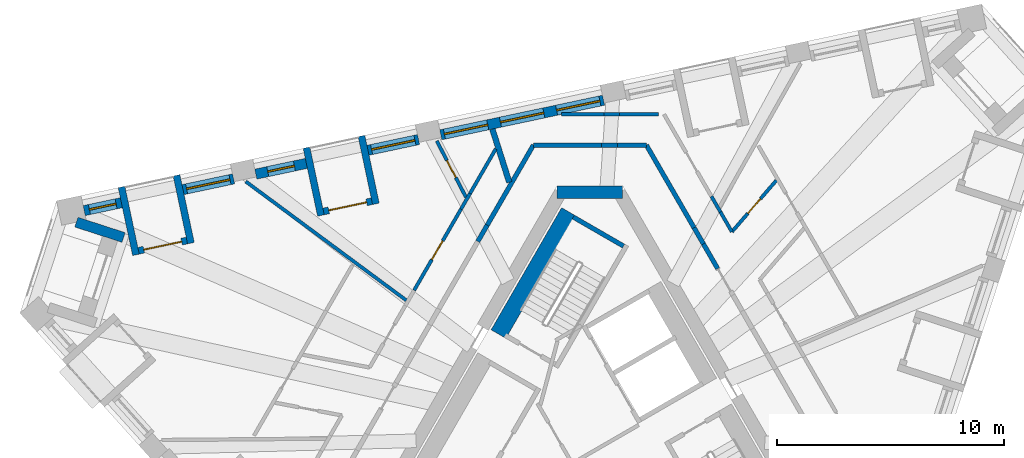
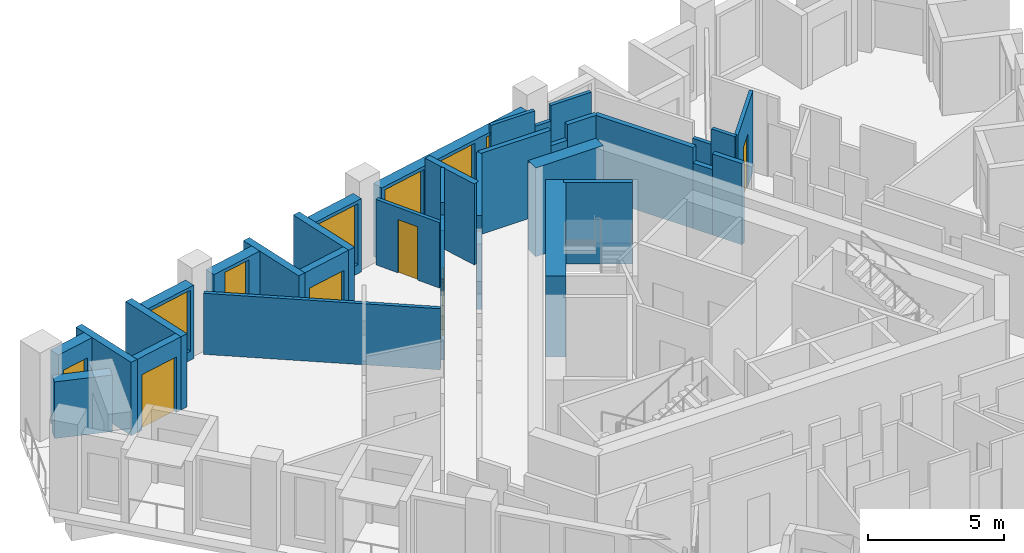
# One storey, part 7 of 13: 35 walls, 7 windows, 5 doors, 12 openings.
"""IFC4 building model written with IfcOpenShell, lengths in metres."""

import ifcopenshell
import ifcopenshell.guid

model = None  # the IFC model being written
_history = None  # IfcOwnerHistory: only IFC2X3 demands one
_inside = {}  # id of a spatial element -> (the spatial element, [elements in it])
_under = {}  # id of a project, library or spatial element -> (it, [spatial elements below it])
_declared = {}  # id of a project -> (the project, [libraries it declares])
_typed = {}  # id of a type object -> (the type object, [elements of that type])
_made_of = {}  # id of a material, layer set ... -> (it, [elements and type objects made of it])


def new_model(schema):
    """Start an empty IFC model of exactly this schema.

    Asked for "IFC4X3", IfcOpenShell would pick the latest addendum, in which some entities
    have other attributes; the version numbers below select the first issue.
    IFC2X3 requires an IfcOwnerHistory on every rooted entity: one is made here for all.
    """
    global model, _history
    if schema == "IFC4X3":
        model = ifcopenshell.file(schema_version=(4, 3, 0, 0))
    else:
        model = ifcopenshell.file(schema=schema)
    _inside.clear()
    _under.clear()
    _declared.clear()
    _typed.clear()
    _made_of.clear()
    _history = None
    if model.schema == "IFC2X3":
        org = make("IfcOrganization", Name="unknown")
        user = make(
            "IfcPersonAndOrganization",
            ThePerson=make("IfcPerson", FamilyName="unknown"),
            TheOrganization=org,
        )
        app = make(
            "IfcApplication",
            ApplicationDeveloper=org,
            Version="unknown",
            ApplicationFullName="unknown",
            ApplicationIdentifier="unknown",
        )
        _history = make(
            "IfcOwnerHistory",
            OwningUser=user,
            OwningApplication=app,
            ChangeAction="ADDED",
            CreationDate=0,
        )
    return model


def make(cls, **values):
    """One entity of the class cls with the attributes given. An attribute that is None is left unset."""
    return model.create_entity(
        cls, **{name: value for name, value in values.items() if value is not None}
    )


def rooted(cls, **values):
    """An entity with a GlobalId (a new one), such as an element, a storey or a relation."""
    return make(cls, GlobalId=ifcopenshell.guid.new(), OwnerHistory=_history, **values)


def si_unit(unit_type, name, prefix=None):
    """IfcSIUnit, for example si_unit("LENGTHUNIT", "METRE", prefix="MILLI")."""
    return make("IfcSIUnit", UnitType=unit_type, Prefix=prefix, Name=name)


def assignment(units):
    """IfcUnitAssignment: the units of a project."""
    return None if units is None else make("IfcUnitAssignment", Units=units)


def point(xyz):
    """IfcCartesianPoint."""
    return None if xyz is None else make("IfcCartesianPoint", Coordinates=xyz)


def direction(xyz):
    """IfcDirection."""
    return None if xyz is None else make("IfcDirection", DirectionRatios=xyz)


def frame(location, z_axis=None, x_axis=None):
    """IfcAxis2Placement3D, a coordinate frame: its origin and axes. An axis left out is left unset."""
    return make(
        "IfcAxis2Placement3D",
        Location=point(location),
        Axis=direction(z_axis),
        RefDirection=direction(x_axis),
    )


def frame_2d(location, x_axis=None):
    """IfcAxis2Placement2D, a coordinate frame in the plane: its origin and x axis."""
    return make(
        "IfcAxis2Placement2D", Location=point(location), RefDirection=direction(x_axis)
    )


def origin():
    """The frame at (0, 0, 0) with its axes left unset."""
    return frame((0.0, 0.0, 0.0))


def place(relative_to, where):
    """IfcLocalPlacement: puts the frame where relative to a parent placement (None: the world)."""
    return make(
        "IfcLocalPlacement", PlacementRelTo=relative_to, RelativePlacement=where
    )


def context(
    kind, dimensions, precision=None, world=None, true_north=None, identifier=None
):
    """IfcGeometricRepresentationContext, for example the 3D "Model" context."""
    return make(
        "IfcGeometricRepresentationContext",
        ContextIdentifier=identifier,
        ContextType=kind,
        CoordinateSpaceDimension=dimensions,
        Precision=precision,
        WorldCoordinateSystem=world,
        TrueNorth=true_north,
    )


def subcontext(parent, identifier, kind, view, scale=None):
    """IfcGeometricRepresentationSubContext, for example "Body" below "Model"."""
    return make(
        "IfcGeometricRepresentationSubContext",
        ContextIdentifier=identifier,
        ContextType=kind,
        ParentContext=parent,
        TargetScale=scale,
        TargetView=view,
    )


def project(units=None, contexts=None):
    """IfcProject with its units and contexts."""
    return rooted(
        "IfcProject",
        Name="project",
        RepresentationContexts=contexts,
        UnitsInContext=assignment(units),
    )


def spatial(cls, under=None, at=None, **own):
    """A site, building, storey or space (cls), placed at a placement, below another one or the project."""
    s = rooted(cls, ObjectPlacement=at, **own)
    if under is not None:
        _under.setdefault(under.id(), (under, []))[1].append(s)
    return s


def profile(cls, at=None, kind="AREA", **sizes):
    """A parametric profile (cls). Its sizes go by their IFC names, for example OverallWidth=200.0."""
    return make(cls, ProfileType=kind, Position=at, **sizes)


def rectangle(**sizes):
    """IfcRectangleProfileDef."""
    return profile("IfcRectangleProfileDef", **sizes)


def extrude(swept, where, along, depth):
    """IfcExtrudedAreaSolid: the profile swept, set in the frame where, extruded along a direction by depth."""
    return make(
        "IfcExtrudedAreaSolid",
        SweptArea=swept,
        Position=where,
        ExtrudedDirection=direction(along),
        Depth=depth,
    )


def shape(context_of_items, identifier, shape_type, items):
    """IfcShapeRepresentation: the items that make up one representation, for example the "Body"."""
    return make(
        "IfcShapeRepresentation",
        ContextOfItems=context_of_items,
        RepresentationIdentifier=identifier,
        RepresentationType=shape_type,
        Items=items,
    )


def material(Name=None, Category=None):
    """IfcMaterial."""
    return make("IfcMaterial", Name=Name, Category=Category)


def layer(
    of_material, thickness, ventilated=None, Name=None, Category=None, Priority=None
):
    """IfcMaterialLayer: one layer of a wall or slab, of a material (None: an air gap)."""
    return make(
        "IfcMaterialLayer",
        Material=of_material,
        LayerThickness=thickness,
        IsVentilated=ventilated,
        Name=Name,
        Category=Category,
        Priority=Priority,
    )


def layer_set(layers, Name=None):
    """IfcMaterialLayerSet."""
    return make("IfcMaterialLayerSet", MaterialLayers=layers, LayerSetName=Name)


def made_of(thing, what):
    """Note that an element or type object is made of a material, layer set ...; save() writes the relation."""
    if what is not None:
        _made_of.setdefault(what.id(), (what, []))[1].append(thing)
    return thing


def type_object(cls, material=None, **own):
    """A type object (cls), such as IfcWallType, which elements share."""
    return made_of(rooted(cls, **own), material)


def element(
    cls,
    number,
    at=None,
    inside=None,
    cuts=None,
    type_object=None,
    material=None,
    context=None,
    identifier="Body",
    shape_type=None,
    held_by="IfcProductDefinitionShape",
    body=None,
    shapes=None,
    **own,
):
    """One element of the class cls, such as IfcWall. Its Tag is "e" and its number.

    at: its placement. inside: the storey or other place that contains it. cuts: it is an
    opening in that element (IfcRelVoidsElement). A single representation is given by context,
    identifier, shape_type and body (its items); several are given by shapes. held_by: the class
    of the entity that holds the representations. save() writes the other relations.
    """
    e = rooted(cls, Tag="e%d" % number, ObjectPlacement=at, **own)
    if body is not None:
        shapes = [shape(context, identifier, shape_type, body)]
    if shapes is not None:
        e.Representation = make(held_by, Representations=shapes)
    if inside is not None:
        _inside.setdefault(inside.id(), (inside, []))[1].append(e)
    if cuts is not None:
        rooted(
            "IfcRelVoidsElement", RelatingBuildingElement=cuts, RelatedOpeningElement=e
        )
    if type_object is not None:
        _typed.setdefault(type_object.id(), (type_object, []))[1].append(e)
    return made_of(e, material)


def fill(opening, filler):
    """IfcRelFillsElement: the door or window that sits in an opening."""
    return rooted(
        "IfcRelFillsElement",
        RelatingOpeningElement=opening,
        RelatedBuildingElement=filler,
    )


def aggregate(whole, parts):
    """IfcRelAggregates: a whole, such as a stair, and the parts it consists of."""
    return rooted("IfcRelAggregates", RelatingObject=whole, RelatedObjects=parts)


def save(model, path):
    """Write the relations noted so far, then the file.

    IfcRelAggregates (storeys below a building ...), IfcRelContainedInSpatialStructure (elements
    in a storey), IfcRelDefinesByType, IfcRelAssociatesMaterial and IfcRelDeclares: one each for
    every whole, place, type object, material and project.
    """
    for whole, parts in _under.values():
        aggregate(whole, parts)
    for where, things in _inside.values():
        rooted(
            "IfcRelContainedInSpatialStructure",
            RelatedElements=things,
            RelatingStructure=where,
        )
    for kind, things in _typed.values():
        rooted("IfcRelDefinesByType", RelatedObjects=things, RelatingType=kind)
    for what, things in _made_of.values():
        rooted("IfcRelAssociatesMaterial", RelatedObjects=things, RelatingMaterial=what)
    for by, libraries in _declared.values():
        rooted("IfcRelDeclares", RelatingContext=by, RelatedDefinitions=libraries)
    model.write(path)


model = new_model("IFC4")

# Units and contexts
model_context = context("Model", 3, precision=1e-05, world=origin(), true_north=direction((0.0, 1.0)))
body_context = subcontext(model_context, "Body", "Model", "MODEL_VIEW")
ifc_project = project(units=[si_unit("LENGTHUNIT", "METRE"), si_unit("AREAUNIT", "SQUARE_METRE"), si_unit("VOLUMEUNIT", "CUBIC_METRE"), si_unit("PLANEANGLEUNIT", "RADIAN"), si_unit("MASSUNIT", "GRAM", prefix="KILO")], contexts=[model_context])

# Site, building, storey
site_placement = place(None, origin())
site = spatial("IfcSite", under=ifc_project, at=site_placement, CompositionType="ELEMENT")
building_placement = place(site_placement, origin())
building = spatial("IfcBuilding", under=site, at=building_placement, Name="Tramontana Tower", CompositionType="ELEMENT")
storey_placement = place(building_placement, frame((0.0, 0.0, 328.39990234375)))
storey = spatial("IfcBuildingStorey", under=building, at=storey_placement, Name="L75", CompositionType="ELEMENT", Elevation=328.39990234375)

# Walls
ifc_material_1 = material(Name="Concrete 70 MPa", Category="concrete")
ifc_layer_1 = layer(ifc_material_1, 0.550048828125)
ifc_layer_set_1 = layer_set([ifc_layer_1], Name="Core wall 550 70 MPa")
wall_type_1 = type_object("IfcWallType", Name="Core wall 550 70 MPa", PredefinedType="SHEAR", material=ifc_layer_set_1)
wall_1_placement = place(storey_placement, frame((1.443359375, 10.72509765625, 0.0), z_axis=(0.0, 0.0, 1.0), x_axis=(-1.0, 0.0, 0.0)))
element("IfcWall", 1, at=wall_1_placement, inside=storey, type_object=wall_type_1, Name="Core wall C0 L75", PredefinedType="SHEAR", context=body_context, shape_type="SweptSolid", body=[
    extrude(rectangle(XDim=2.88671875, YDim=0.550048828125, at=frame_2d((1.443359375, 0.0))), origin(), (0.0, 0.0, 1.0), 4.0),
])
ifc_material_2 = material(Name="Blockwork", Category="masonry")
ifc_layer_2 = layer(ifc_material_2, 0.199951171875)
ifc_layer_set_2 = layer_set([ifc_layer_2], Name="ENTRY WALL 200")
wall_type_2 = type_object("IfcWallType", Name="ENTRY WALL 200", PredefinedType="SOLIDWALL", material=ifc_layer_set_2)
wall_2_placement = place(storey_placement, frame((-4.9287109375, 8.563232421875, 0.0), z_axis=(0.0, 0.0, 1.0), x_axis=(0.500046299512, 0.865998671098, 0.0)))
element("IfcWall", 2, at=wall_2_placement, inside=storey, type_object=wall_type_2, Name="Wall v80-ew3-9", PredefinedType="SOLIDWALL", context=body_context, shape_type="SweptSolid", body=[
    extrude(rectangle(XDim=0.82666015625, YDim=0.199951171875, at=frame_2d((0.413330078125, 0.0))), origin(), (0.0, 0.0, 1.0), 2.9501953125),
])
wall_3_placement = place(storey_placement, frame((-4.515380859375, 9.279052734375, 0.0), z_axis=(0.0, 0.0, 1.0), x_axis=(0.499975428181, 0.866039589866, 0.0)))
element("IfcWall", 3, at=wall_3_placement, inside=storey, type_object=wall_type_2, Name="Wall v80-ew3-10", PredefinedType="SOLIDWALL", context=body_context, shape_type="SweptSolid", body=[
    extrude(rectangle(XDim=4.065673828125, YDim=0.199951171875, at=frame_2d((2.03271484375, 0.0))), origin(), (0.0, 0.0, 1.0), 3.650146484375),
])
wall_4_placement = place(storey_placement, frame((-2.482666015625, 12.800048828125, 0.0), z_axis=(0.0, 0.0, 1.0), x_axis=(1.0, 0.0, 0.0)))
element("IfcWall", 4, at=wall_4_placement, inside=storey, type_object=wall_type_2, Name="Wall v80-ew4-0", PredefinedType="SOLIDWALL", context=body_context, shape_type="SweptSolid", body=[
    extrude(rectangle(XDim=3.0029296875, YDim=0.199951171875, at=frame_2d((1.50146484375, 0.0))), origin(), (0.0, 0.0, 1.0), 3.650146484375),
])
wall_5_placement = place(storey_placement, frame((0.520263671875, 12.800048828125, 0.0), z_axis=(0.0, 0.0, 1.0), x_axis=(1.0, 0.0, 0.0)))
element("IfcWall", 5, at=wall_5_placement, inside=storey, type_object=wall_type_2, Name="Wall v80-ew4-1", PredefinedType="SOLIDWALL", context=body_context, shape_type="SweptSolid", body=[
    extrude(rectangle(XDim=0.701416015625, YDim=0.199951171875, at=frame_2d((0.3505859375, 0.0))), origin(), (0.0, 0.0, 1.0), 2.9501953125),
])
wall_6_placement = place(storey_placement, frame((1.2216796875, 12.800048828125, 0.0), z_axis=(0.0, 0.0, 1.0), x_axis=(1.0, 0.0, 0.0)))
element("IfcWall", 6, at=wall_6_placement, inside=storey, type_object=wall_type_2, Name="Wall v80-ew4-2", PredefinedType="SOLIDWALL", context=body_context, shape_type="SweptSolid", body=[
    extrude(rectangle(XDim=1.260986328125, YDim=0.199951171875, at=frame_2d((0.63037109375, 0.0))), origin(), (0.0, 0.0, 1.0), 3.650146484375),
])
wall_7_placement = place(storey_placement, frame((2.482666015625, 12.800048828125, 0.0), z_axis=(0.0, 0.0, 1.0), x_axis=(0.499982771656, -0.866035350345, 0.0)))
element("IfcWall", 7, at=wall_7_placement, inside=storey, type_object=wall_type_2, Name="Wall v80-ew5-0", PredefinedType="SOLIDWALL", context=body_context, shape_type="SweptSolid", body=[
    extrude(rectangle(XDim=4.194580078125, YDim=0.199951171875, at=frame_2d((2.09716796875, 0.0))), origin(), (0.0, 0.0, 1.0), 3.650146484375),
])
wall_8_placement = place(storey_placement, frame((4.579833984375, 9.16748046875, 0.0), z_axis=(0.0, 0.0, 1.0), x_axis=(0.499945576647, -0.866056822842, 0.0)))
element("IfcWall", 8, at=wall_8_placement, inside=storey, type_object=wall_type_2, Name="Wall v80-ew5-1", PredefinedType="SOLIDWALL", context=body_context, shape_type="SweptSolid", body=[
    extrude(rectangle(XDim=0.82080078125, YDim=0.199951171875, at=frame_2d((0.410400390625, 0.0))), origin(), (0.0, 0.0, 1.0), 2.9501953125),
])
wall_9_placement = place(storey_placement, frame((4.990234375, 8.45654296875, 0.0), z_axis=(0.0, 0.0, 1.0), x_axis=(0.500031220278, -0.866007377998, 0.0)))
element("IfcWall", 9, at=wall_9_placement, inside=storey, type_object=wall_type_2, Name="Wall v80-ew5-2", PredefinedType="SOLIDWALL", context=body_context, shape_type="SweptSolid", body=[
    extrude(rectangle(XDim=1.2548828125, YDim=0.199951171875, at=frame_2d((0.62744140625, 0.0))), origin(), (0.0, 0.0, 1.0), 3.650146484375),
])

# Wall, openings, windows
ifc_material_3 = material(Name="Precast concrete 60 MPa", Category="concrete")
ifc_layer_3 = layer(ifc_material_3, 0.449951171875)
ifc_layer_set_3 = layer_set([ifc_layer_3], Name="Precast concrete 60 MPa, 450 mm")
wall_type_3 = type_object("IfcWallType", Name="EW1 Stone-faced precast wall 450", PredefinedType="SOLIDWALL", material=ifc_layer_set_3)
wall_10_placement = place(storey_placement, frame((0.5986328125, 14.772216796875, 0.0), z_axis=(0.0, 0.0, 1.0), x_axis=(-0.978151299843, -0.207894287118, 0.0)))
wall_10 = element("IfcWall", 10, at=wall_10_placement, inside=storey, type_object=wall_type_3, Name="External wall L75 face 2 bay 3", PredefinedType="SOLIDWALL", context=body_context, shape_type="SweptSolid", body=[
    extrude(rectangle(XDim=7.31396484375, YDim=0.449951171875, at=frame_2d((3.656982421875, 0.0))), origin(), (0.0, 0.0, 1.0), 3.300048828125),
])
opening_1_placement = place(wall_10_placement, frame((0.16064453125, 0.0, 0.39990234375)))
opening_1 = element("IfcOpeningElement", 11, at=opening_1_placement, cuts=wall_10, Name="Opening M3", PredefinedType="OPENING", context=body_context, shape_type="SweptSolid", body=[
    extrude(rectangle(XDim=1.949951171875, YDim=2.75, at=frame_2d((0.97509765625, 1.375))), frame((0.0, 0.23486328125, 0.0), z_axis=(0.0, -1.0, 0.0), x_axis=(1.0, 0.0, 0.0)), (0.0, 0.0, 1.0), 0.469970703125),
])
opening_2_placement = place(wall_10_placement, frame((2.681884765625, 0.0, 0.39990234375)))
opening_2 = element("IfcOpeningElement", 12, at=opening_2_placement, cuts=wall_10, Name="Opening M3", PredefinedType="OPENING", context=body_context, shape_type="SweptSolid", body=[
    extrude(rectangle(XDim=1.949951171875, YDim=2.75, at=frame_2d((0.97509765625, 1.375))), frame((0.0, 0.23486328125, 0.0), z_axis=(0.0, -1.0, 0.0), x_axis=(1.0, 0.0, 0.0)), (0.0, 0.0, 1.0), 0.469970703125),
])
opening_3_placement = place(wall_10_placement, frame((5.203125, 0.0, 0.39990234375)))
opening_3 = element("IfcOpeningElement", 13, at=opening_3_placement, cuts=wall_10, Name="Opening M3", PredefinedType="OPENING", context=body_context, shape_type="SweptSolid", body=[
    extrude(rectangle(XDim=1.949951171875, YDim=2.75, at=frame_2d((0.97509765625, 1.375))), frame((0.0, 0.23486328125, 0.0), z_axis=(0.0, -1.0, 0.0), x_axis=(1.0, 0.0, 0.0)), (0.0, 0.0, 1.0), 0.469970703125),
])
ifc_material_4 = material(Name="Aluminum frame, double glazing unit", Category="aluminium")
window_type_1 = type_object("IfcWindowType", Name="M3 Window 1.95 x 2.75", PartitioningType="SINGLE_PANEL", PredefinedType="WINDOW", material=ifc_material_4)
window_1_placement = place(opening_1_placement, origin())
window_1 = element("IfcWindow", 14, at=window_1_placement, inside=storey, type_object=window_type_1, Name="Window M3 L75 face 2 module 7", OverallHeight=2.75, OverallWidth=1.949951171875, PartitioningType="SINGLE_PANEL", PredefinedType="WINDOW", context=body_context, shape_type="SweptSolid", body=[
    extrude(rectangle(XDim=1.949951171875, YDim=2.75, at=frame_2d((0.97509765625, 1.375))), frame((0.0, 0.030029296875, 0.0), z_axis=(0.0, -1.0, 0.0), x_axis=(1.0, 0.0, 0.0)), (0.0, 0.0, 1.0), 0.06005859375),
])
fill(opening_1, window_1)
window_2_placement = place(opening_2_placement, origin())
window_2 = element("IfcWindow", 15, at=window_2_placement, inside=storey, type_object=window_type_1, Name="Window M3 L75 face 2 module 8", OverallHeight=2.75, OverallWidth=1.949951171875, PartitioningType="SINGLE_PANEL", PredefinedType="WINDOW", context=body_context, shape_type="SweptSolid", body=[
    extrude(rectangle(XDim=1.949951171875, YDim=2.75, at=frame_2d((0.97509765625, 1.375))), frame((0.0, 0.030029296875, 0.0), z_axis=(0.0, -1.0, 0.0), x_axis=(1.0, 0.0, 0.0)), (0.0, 0.0, 1.0), 0.06005859375),
])
fill(opening_2, window_2)
window_3_placement = place(opening_3_placement, origin())
window_3 = element("IfcWindow", 16, at=window_3_placement, inside=storey, type_object=window_type_1, Name="Window M3 L75 face 2 module 9", OverallHeight=2.75, OverallWidth=1.949951171875, PartitioningType="SINGLE_PANEL", PredefinedType="WINDOW", context=body_context, shape_type="SweptSolid", body=[
    extrude(rectangle(XDim=1.949951171875, YDim=2.75, at=frame_2d((0.97509765625, 1.375))), frame((0.0, 0.030029296875, 0.0), z_axis=(0.0, -1.0, 0.0), x_axis=(1.0, 0.0, 0.0)), (0.0, 0.0, 1.0), 0.06005859375),
])
fill(opening_3, window_3)

# Wall, opening, window
wall_11_placement = place(storey_placement, frame((-7.533447265625, 13.043701171875, 0.0), z_axis=(0.0, 0.0, 1.0), x_axis=(-0.978153386925, -0.207884467067, 0.0)))
wall_11 = element("IfcWall", 17, at=wall_11_placement, inside=storey, type_object=wall_type_3, Name="External wall L75 face 2 bay 4", PredefinedType="SOLIDWALL", context=body_context, shape_type="SweptSolid", body=[
    extrude(rectangle(XDim=2.271240234375, YDim=0.449951171875, at=frame_2d((1.1357421875, 0.0))), origin(), (0.0, 0.0, 1.0), 3.300048828125),
])
opening_4_placement = place(wall_11_placement, frame((0.16064453125, 0.0, 0.39990234375)))
opening_4 = element("IfcOpeningElement", 18, at=opening_4_placement, cuts=wall_11, Name="Opening M3", PredefinedType="OPENING", context=body_context, shape_type="SweptSolid", body=[
    extrude(rectangle(XDim=1.949951171875, YDim=2.75, at=frame_2d((0.97509765625, 1.375))), frame((0.0, 0.23486328125, 0.0), z_axis=(0.0, -1.0, 0.0), x_axis=(1.0, 0.0, 0.0)), (0.0, 0.0, 1.0), 0.469970703125),
])
window_4_placement = place(opening_4_placement, origin())
window_4 = element("IfcWindow", 19, at=window_4_placement, inside=storey, type_object=window_type_1, Name="Window M3 L75 face 2 module 10", OverallHeight=2.75, OverallWidth=1.949951171875, PartitioningType="SINGLE_PANEL", PredefinedType="WINDOW", context=body_context, shape_type="SweptSolid", body=[
    extrude(rectangle(XDim=1.949951171875, YDim=2.75, at=frame_2d((0.97509765625, 1.375))), frame((0.0, 0.030029296875, 0.0), z_axis=(0.0, -1.0, 0.0), x_axis=(1.0, 0.0, 0.0)), (0.0, 0.0, 1.0), 0.06005859375),
])
fill(opening_4, window_4)

wall_12_placement = place(storey_placement, frame((-12.4658203125, 11.995361328125, 0.0), z_axis=(0.0, 0.0, 1.0), x_axis=(-0.978153386925, -0.207884467067, 0.0)))
wall_12 = element("IfcWall", 20, at=wall_12_placement, inside=storey, type_object=wall_type_3, Name="External wall L75 face 2 bay 4", PredefinedType="SOLIDWALL", context=body_context, shape_type="SweptSolid", body=[
    extrude(rectangle(XDim=2.271240234375, YDim=0.449951171875, at=frame_2d((1.1357421875, 0.0))), origin(), (0.0, 0.0, 1.0), 3.300048828125),
])
opening_5_placement = place(wall_12_placement, frame((0.53564453125, 0.0, 0.39990234375)))
opening_5 = element("IfcOpeningElement", 21, at=opening_5_placement, cuts=wall_12, Name="Opening N3", PredefinedType="OPENING", context=body_context, shape_type="SweptSolid", body=[
    extrude(rectangle(XDim=1.199951171875, YDim=2.75, at=frame_2d((0.60009765625, 1.375))), frame((0.0, 0.23486328125, 0.0), z_axis=(0.0, -1.0, 0.0), x_axis=(1.0, 0.0, 0.0)), (0.0, 0.0, 1.0), 0.469970703125),
])
ifc_material_5 = material(Name="Aluminum frame, double glazing unit", Category="aluminium")
window_type_2 = type_object("IfcWindowType", Name="N3 Window 1.2 x 2.75", PartitioningType="SINGLE_PANEL", PredefinedType="WINDOW", material=ifc_material_5)
window_5_placement = place(opening_5_placement, origin())
window_5 = element("IfcWindow", 22, at=window_5_placement, inside=storey, type_object=window_type_2, Name="Window N3 L75 face 2 module 12", OverallHeight=2.75, OverallWidth=1.199951171875, PartitioningType="SINGLE_PANEL", PredefinedType="WINDOW", context=body_context, shape_type="SweptSolid", body=[
    extrude(rectangle(XDim=1.199951171875, YDim=2.75, at=frame_2d((0.60009765625, 1.375))), frame((0.0, 0.030029296875, 0.0), z_axis=(0.0, -1.0, 0.0), x_axis=(1.0, 0.0, 0.0)), (0.0, 0.0, 1.0), 0.06005859375),
])
fill(opening_5, window_5)

wall_13_placement = place(storey_placement, frame((-15.665771484375, 11.315185546875, 0.0), z_axis=(0.0, 0.0, 1.0), x_axis=(-0.978148740936, -0.207906326516, 0.0)))
wall_13 = element("IfcWall", 23, at=wall_13_placement, inside=storey, type_object=wall_type_3, Name="External wall L75 face 2 bay 5", PredefinedType="SOLIDWALL", context=body_context, shape_type="SweptSolid", body=[
    extrude(rectangle(XDim=2.27099609375, YDim=0.449951171875, at=frame_2d((1.135498046875, 0.0))), origin(), (0.0, 0.0, 1.0), 3.300048828125),
])
opening_6_placement = place(wall_13_placement, frame((0.16064453125, 0.0, 0.39990234375)))
opening_6 = element("IfcOpeningElement", 24, at=opening_6_placement, cuts=wall_13, Name="Opening M3", PredefinedType="OPENING", context=body_context, shape_type="SweptSolid", body=[
    extrude(rectangle(XDim=1.949951171875, YDim=2.75, at=frame_2d((0.97509765625, 1.375))), frame((0.0, 0.23486328125, 0.0), z_axis=(0.0, -1.0, 0.0), x_axis=(1.0, 0.0, 0.0)), (0.0, 0.0, 1.0), 0.469970703125),
])
window_6_placement = place(opening_6_placement, origin())
window_6 = element("IfcWindow", 25, at=window_6_placement, inside=storey, type_object=window_type_1, Name="Window M3 L75 face 2 module 13", OverallHeight=2.75, OverallWidth=1.949951171875, PartitioningType="SINGLE_PANEL", PredefinedType="WINDOW", context=body_context, shape_type="SweptSolid", body=[
    extrude(rectangle(XDim=1.949951171875, YDim=2.75, at=frame_2d((0.97509765625, 1.375))), frame((0.0, 0.030029296875, 0.0), z_axis=(0.0, -1.0, 0.0), x_axis=(1.0, 0.0, 0.0)), (0.0, 0.0, 1.0), 0.06005859375),
])
fill(opening_6, window_6)

wall_14_placement = place(storey_placement, frame((-20.59814453125, 10.266845703125, 0.0), z_axis=(0.0, 0.0, 1.0), x_axis=(-0.978126168783, -0.208012494676, 0.0)))
wall_14 = element("IfcWall", 26, at=wall_14_placement, inside=storey, type_object=wall_type_3, Name="External wall L75 face 2 bay 5", PredefinedType="SOLIDWALL", context=body_context, shape_type="SweptSolid", body=[
    extrude(rectangle(XDim=1.67138671875, YDim=0.449951171875, at=frame_2d((0.835693359375, 0.0))), origin(), (0.0, 0.0, 1.0), 3.300048828125),
])
opening_7_placement = place(wall_14_placement, frame((0.235595703125, 0.0, 0.39990234375)))
opening_7 = element("IfcOpeningElement", 27, at=opening_7_placement, cuts=wall_14, Name="Opening N3L", PredefinedType="OPENING", context=body_context, shape_type="SweptSolid", body=[
    extrude(rectangle(XDim=1.199951171875, YDim=2.10009765625, at=frame_2d((0.60009765625, 1.050048828125))), frame((0.0, 0.23486328125, 0.0), z_axis=(0.0, -1.0, 0.0), x_axis=(1.0, 0.0, 0.0)), (0.0, 0.0, 1.0), 0.469970703125),
])
ifc_material_6 = material(Name="Aluminum frame, double glazing unit", Category="aluminium")
window_type_3 = type_object("IfcWindowType", Name="N3L Window 1.2 x 2.1", PartitioningType="SINGLE_PANEL", PredefinedType="WINDOW", material=ifc_material_6)
window_7_placement = place(opening_7_placement, origin())
window_7 = element("IfcWindow", 28, at=window_7_placement, inside=storey, type_object=window_type_3, Name="Window N3L L75 face 2 module 15", OverallHeight=2.10009765625, OverallWidth=1.199951171875, PartitioningType="SINGLE_PANEL", PredefinedType="WINDOW", context=body_context, shape_type="SweptSolid", body=[
    extrude(rectangle(XDim=1.199951171875, YDim=2.10009765625, at=frame_2d((0.60009765625, 1.050048828125))), frame((0.0, 0.030029296875, 0.0), z_axis=(0.0, -1.0, 0.0), x_axis=(1.0, 0.0, 0.0)), (0.0, 0.0, 1.0), 0.06005859375),
])
fill(opening_7, window_7)

# Wall
wall_15_placement = place(storey_placement, frame((-22.57568359375, 9.411865234375, 0.0), z_axis=(0.0, 0.0, 1.0), x_axis=(0.951064526973, -0.308992338955, 0.0)))
element("IfcWall", 29, at=wall_15_placement, inside=storey, type_object=wall_type_3, Name="Corner loggia side wall L75 K80r", PredefinedType="SOLIDWALL", context=body_context, shape_type="SweptSolid", body=[
    extrude(rectangle(XDim=2.17919921875, YDim=0.449951171875, at=frame_2d((1.089599609375, 0.0))), origin(), (0.0, 0.0, 1.0), 2.550048828125),
])

# Wall, opening, door
ifc_material_7 = material(Name="Precast concrete 60 MPa", Category="concrete")
ifc_layer_4 = layer(ifc_material_7, 0.300048828125)
ifc_layer_set_4 = layer_set([ifc_layer_4], Name="LW1 Stone-faced loggia wall 300")
wall_type_4 = type_object("IfcWallType", Name="LW1 Stone-faced loggia wall 300", PredefinedType="SOLIDWALL", material=ifc_layer_set_4)
wall_16_placement = place(storey_placement, frame((-9.5859375, 10.332763671875, 0.0), z_axis=(0.0, 0.0, 1.0), x_axis=(-0.978148276005, -0.207908513891, 0.0)))
wall_16 = element("IfcWall", 30, at=wall_16_placement, inside=storey, type_object=wall_type_4, Name="Loggia wall L75 G8S2.10", PredefinedType="SOLIDWALL", context=body_context, shape_type="SweptSolid", body=[
    extrude(rectangle(XDim=2.171142578125, YDim=0.300048828125, at=frame_2d((1.08544921875, 0.0))), origin(), (0.0, 0.0, 1.0), 3.300048828125),
])
opening_8_placement = place(wall_16_placement, frame((0.235595703125, 0.0, 0.0)))
opening_8 = element("IfcOpeningElement", 31, at=opening_8_placement, cuts=wall_16, Name="Opening BD-8S2-10", PredefinedType="OPENING", context=body_context, shape_type="SweptSolid", body=[
    extrude(rectangle(XDim=1.699951171875, YDim=2.5, at=frame_2d((0.85009765625, 1.25))), frame((0.0, 0.159912109375, 0.0), z_axis=(0.0, -1.0, 0.0), x_axis=(1.0, 0.0, 0.0)), (0.0, 0.0, 1.0), 0.320068359375),
])
ifc_material_8 = material(Name="Aluminum frame, double glazing unit", Category="aluminium")
door_type_1 = type_object("IfcDoorType", Name="BD3 Sliding door 1.7 x 2.5", OperationType="SLIDING_TO_LEFT", PredefinedType="DOOR", material=ifc_material_8)
door_1_placement = place(opening_8_placement, origin())
door_1 = element("IfcDoor", 32, at=door_1_placement, inside=storey, type_object=door_type_1, Name="Loggia door L75 G8S2.10", OperationType="SLIDING_TO_LEFT", OverallHeight=2.5, OverallWidth=1.699951171875, PredefinedType="DOOR", context=body_context, shape_type="SweptSolid", body=[
    extrude(rectangle(XDim=1.699951171875, YDim=2.5, at=frame_2d((0.85009765625, 1.25))), frame((0.0, 0.02490234375, 0.0), z_axis=(0.0, -1.0, 0.0), x_axis=(1.0, 0.0, 0.0)), (0.0, 0.0, 1.0), 0.050048828125),
])
fill(opening_8, door_1)

# Walls
for number, where, z_axis, x_axis, name in (
    (33, (-10.042236328125, 13.20068359375, 0.0), (0.0, 0.0, 1.0), (0.207954487003, -0.978138503145, 0.0), "Loggia return L75 G8S2.10a"),
    (34, (-12.45947265625, 12.686767578125, 0.0), (0.0, 0.0, 1.0), (0.207877902534, -0.978154782045, 0.0), "Loggia return L75 G8S2.10b"),
):
    element("IfcWall", number, at=place(storey_placement, frame(where, z_axis=z_axis, x_axis=x_axis)), inside=storey, type_object=wall_type_4, Name=name, PredefinedType="SOLIDWALL", context=body_context, shape_type="SweptSolid", body=[
        extrude(rectangle(XDim=3.050048828125, YDim=0.300048828125, at=frame_2d((1.52490234375, 0.0))), origin(), (0.0, 0.0, 1.0), 3.300048828125),
    ])

# Wall, opening, door
wall_17_placement = place(storey_placement, frame((-17.71826171875, 8.604248046875, 0.0), z_axis=(0.0, 0.0, 1.0), x_axis=(-0.978148276005, -0.207908513891, 0.0)))
wall_17 = element("IfcWall", 35, at=wall_17_placement, inside=storey, type_object=wall_type_4, Name="Loggia wall L75 G8S2.13", PredefinedType="SOLIDWALL", context=body_context, shape_type="SweptSolid", body=[
    extrude(rectangle(XDim=2.171142578125, YDim=0.300048828125, at=frame_2d((1.08544921875, 0.0))), origin(), (0.0, 0.0, 1.0), 3.300048828125),
])
opening_9_placement = place(wall_17_placement, frame((0.235595703125, 0.0, 0.0)))
opening_9 = element("IfcOpeningElement", 36, at=opening_9_placement, cuts=wall_17, Name="Opening BD-8S2-13", PredefinedType="OPENING", context=body_context, shape_type="SweptSolid", body=[
    extrude(rectangle(XDim=1.699951171875, YDim=2.5, at=frame_2d((0.85009765625, 1.25))), frame((0.0, 0.159912109375, 0.0), z_axis=(0.0, -1.0, 0.0), x_axis=(1.0, 0.0, 0.0)), (0.0, 0.0, 1.0), 0.320068359375),
])
door_2_placement = place(opening_9_placement, origin())
door_2 = element("IfcDoor", 37, at=door_2_placement, inside=storey, type_object=door_type_1, Name="Loggia door L75 G8S2.13", OperationType="SLIDING_TO_LEFT", OverallHeight=2.5, OverallWidth=1.699951171875, PredefinedType="DOOR", context=body_context, shape_type="SweptSolid", body=[
    extrude(rectangle(XDim=1.699951171875, YDim=2.5, at=frame_2d((0.85009765625, 1.25))), frame((0.0, 0.02490234375, 0.0), z_axis=(0.0, -1.0, 0.0), x_axis=(1.0, 0.0, 0.0)), (0.0, 0.0, 1.0), 0.050048828125),
])
fill(opening_9, door_2)

# Walls
wall_18_placement = place(storey_placement, frame((-18.17431640625, 11.471923828125, 0.0), z_axis=(0.0, 0.0, 1.0), x_axis=(0.207894179953, -0.978151322619, 0.0)))
element("IfcWall", 38, at=wall_18_placement, inside=storey, type_object=wall_type_4, Name="Loggia return L75 G8S2.13a", PredefinedType="SOLIDWALL", context=body_context, shape_type="SweptSolid", body=[
    extrude(rectangle(XDim=3.0498046875, YDim=0.300048828125, at=frame_2d((1.52490234375, 0.0))), origin(), (0.0, 0.0, 1.0), 3.300048828125),
])
wall_19_placement = place(storey_placement, frame((-20.591552734375, 10.958251953125, 0.0), z_axis=(0.0, 0.0, 1.0), x_axis=(0.207877902534, -0.978154782045, 0.0)))
element("IfcWall", 39, at=wall_19_placement, inside=storey, type_object=wall_type_4, Name="Loggia return L75 G8S2.13b", PredefinedType="SOLIDWALL", context=body_context, shape_type="SweptSolid", body=[
    extrude(rectangle(XDim=3.050048828125, YDim=0.300048828125, at=frame_2d((1.52490234375, 0.0))), origin(), (0.0, 0.0, 1.0), 3.300048828125),
])
ifc_material_9 = material(Name="Gypsum board partition")
ifc_layer_5 = layer(ifc_material_9, 0.14990234375)
ifc_layer_set_5 = layer_set([ifc_layer_5], Name="PARTITION 150")
wall_type_5 = type_object("IfcWallType", Name="PARTITION 150", PredefinedType="PARTITIONING", material=ifc_layer_set_5)
wall_20_placement = place(storey_placement, frame((-15.1298828125, 11.198974609375, 0.0), z_axis=(0.0, 0.0, 1.0), x_axis=(0.80377624172, -0.594931721499, 0.0)))
element("IfcWall", 40, at=wall_20_placement, inside=storey, type_object=wall_type_5, Name="Wall v80-pw00-0", PredefinedType="PARTITIONING", context=body_context, shape_type="SweptSolid", body=[
    extrude(rectangle(XDim=8.783935546875, YDim=0.14990234375, at=frame_2d((4.39208984375, 0.0))), origin(), (0.0, 0.0, 1.0), 2.75),
])

# Wall, opening, door
wall_21_placement = place(storey_placement, frame((-7.726806640625, 6.416748046875, 0.0), z_axis=(0.0, 0.0, 1.0), x_axis=(0.50002680699, 0.866009926209, 0.0)))
wall_21 = element("IfcWall", 41, at=wall_21_placement, inside=storey, type_object=wall_type_5, Name="Wall v80-pw08-4", PredefinedType="PARTITIONING", context=body_context, shape_type="SweptSolid", body=[
    extrude(rectangle(XDim=4.119873046875, YDim=0.14990234375, at=frame_2d((2.06005859375, 0.0))), origin(), (0.0, 0.0, 1.0), 3.650146484375),
])
opening_10_placement = place(wall_21_placement, frame((1.56103515625, 0.0, 0.0)))
opening_10 = element("IfcOpeningElement", 42, at=opening_10_placement, cuts=wall_21, Name="Opening B8A-04", PredefinedType="OPENING", context=body_context, shape_type="SweptSolid", body=[
    extrude(rectangle(XDim=0.949951171875, YDim=2.39990234375, at=frame_2d((0.47509765625, 1.199951171875))), frame((0.0, 0.0849609375, 0.0), z_axis=(0.0, -1.0, 0.0), x_axis=(1.0, 0.0, 0.0)), (0.0, 0.0, 1.0), 0.169921875),
])
ifc_material_10 = material(Name="Painted timber", Category="wood")
door_type_2 = type_object("IfcDoorType", Name="DOOR ROOM 950", OperationType="SINGLE_SWING_LEFT", PredefinedType="DOOR", material=ifc_material_10)
door_3_placement = place(opening_10_placement, origin())
door_3 = element("IfcDoor", 43, at=door_3_placement, inside=storey, type_object=door_type_2, Name="Door B8A-04", OperationType="SINGLE_SWING_RIGHT", OverallHeight=2.39990234375, OverallWidth=0.949951171875, PredefinedType="DOOR", context=body_context, shape_type="SweptSolid", body=[
    extrude(rectangle(XDim=0.949951171875, YDim=2.39990234375, at=frame_2d((0.47509765625, 1.199951171875))), frame((0.0, 0.02490234375, 0.0), z_axis=(0.0, -1.0, 0.0), x_axis=(1.0, 0.0, 0.0)), (0.0, 0.0, 1.0), 0.050048828125),
])
fill(opening_10, door_3)

# Walls
wall_22_placement = place(storey_placement, frame((-5.666748046875, 9.984619140625, 0.0), z_axis=(0.0, 0.0, 1.0), x_axis=(0.499961121316, 0.86604784924, 0.0)))
element("IfcWall", 44, at=wall_22_placement, inside=storey, type_object=wall_type_5, Name="Wall v80-pw08-5", PredefinedType="PARTITIONING", context=body_context, shape_type="SweptSolid", body=[
    extrude(rectangle(XDim=0.796875, YDim=0.14990234375, at=frame_2d((0.3984375, 0.0))), origin(), (0.0, 0.0, 1.0), 2.9501953125),
])
wall_23_placement = place(storey_placement, frame((-5.268310546875, 10.6748046875, 0.0), z_axis=(0.0, 0.0, 1.0), x_axis=(0.499956642393, 0.866050434864, 0.0)))
element("IfcWall", 45, at=wall_23_placement, inside=storey, type_object=wall_type_5, Name="Wall v80-pw08-6", PredefinedType="PARTITIONING", context=body_context, shape_type="SweptSolid", body=[
    extrude(rectangle(XDim=2.256103515625, YDim=0.14990234375, at=frame_2d((1.1279296875, 0.0))), origin(), (0.0, 0.0, 1.0), 3.650146484375),
])

# Wall, opening, door
wall_24_placement = place(storey_placement, frame((-6.732177734375, 12.984130859375, 0.0), z_axis=(0.0, 0.0, 1.0), x_axis=(0.460309491074, -0.887758510197, 0.0)))
wall_24 = element("IfcWall", 46, at=wall_24_placement, inside=storey, type_object=wall_type_5, Name="Wall v80-pw11-0", PredefinedType="PARTITIONING", context=body_context, shape_type="SweptSolid", body=[
    extrude(rectangle(XDim=2.7861328125, YDim=0.14990234375, at=frame_2d((1.39306640625, 0.0))), origin(), (0.0, 0.0, 1.0), 2.9501953125),
])
opening_11_placement = place(wall_24_placement, frame((0.968017578125, 0.0, 0.0)))
opening_11 = element("IfcOpeningElement", 47, at=opening_11_placement, cuts=wall_24, Name="Opening B8A-06", PredefinedType="OPENING", context=body_context, shape_type="SweptSolid", body=[
    extrude(rectangle(XDim=0.85009765625, YDim=2.39990234375, at=frame_2d((0.425048828125, 1.199951171875))), frame((0.0, 0.0849609375, 0.0), z_axis=(0.0, -1.0, 0.0), x_axis=(1.0, 0.0, 0.0)), (0.0, 0.0, 1.0), 0.169921875),
])
ifc_material_11 = material(Name="Painted timber", Category="wood")
door_type_3 = type_object("IfcDoorType", Name="DOOR BATH 850", OperationType="SINGLE_SWING_LEFT", PredefinedType="DOOR", material=ifc_material_11)
door_4_placement = place(opening_11_placement, origin())
door_4 = element("IfcDoor", 48, at=door_4_placement, inside=storey, type_object=door_type_3, Name="Door B8A-06", OperationType="SINGLE_SWING_RIGHT", OverallHeight=2.39990234375, OverallWidth=0.85009765625, PredefinedType="DOOR", context=body_context, shape_type="SweptSolid", body=[
    extrude(rectangle(XDim=0.85009765625, YDim=2.39990234375, at=frame_2d((0.425048828125, 1.199951171875))), frame((0.0, 0.02490234375, 0.0), z_axis=(0.0, -1.0, 0.0), x_axis=(1.0, 0.0, 0.0)), (0.0, 0.0, 1.0), 0.050048828125),
])
fill(opening_11, door_4)

# Walls
wall_25_placement = place(storey_placement, frame((-1.24658203125, 14.14990234375, 0.0), z_axis=(0.0, 0.0, 1.0), x_axis=(1.0, 0.0, 0.0)))
element("IfcWall", 49, at=wall_25_placement, inside=storey, type_object=wall_type_5, Name="Wall v80-pw15-0", PredefinedType="PARTITIONING", context=body_context, shape_type="SweptSolid", body=[
    extrude(rectangle(XDim=1.87109375, YDim=0.14990234375, at=frame_2d((0.935546875, 0.0))), origin(), (0.0, 0.0, 1.0), 3.650146484375),
])
wall_26_placement = place(storey_placement, frame((0.62451171875, 14.14990234375, 0.0), z_axis=(0.0, 0.0, 1.0), x_axis=(1.0, 0.0, 0.0)))
element("IfcWall", 50, at=wall_26_placement, inside=storey, type_object=wall_type_5, Name="Wall v80-pw15-1", PredefinedType="PARTITIONING", context=body_context, shape_type="SweptSolid", body=[
    extrude(rectangle(XDim=0.676513671875, YDim=0.14990234375, at=frame_2d((0.33837890625, 0.0))), origin(), (0.0, 0.0, 1.0), 2.9501953125),
])
wall_27_placement = place(storey_placement, frame((1.301025390625, 14.14990234375, 0.0), z_axis=(0.0, 0.0, 1.0), x_axis=(1.0, 0.0, 0.0)))
element("IfcWall", 51, at=wall_27_placement, inside=storey, type_object=wall_type_5, Name="Wall v80-pw15-2", PredefinedType="PARTITIONING", context=body_context, shape_type="SweptSolid", body=[
    extrude(rectangle(XDim=1.724365234375, YDim=0.14990234375, at=frame_2d((0.8623046875, 0.0))), origin(), (0.0, 0.0, 1.0), 3.650146484375),
])
wall_28_placement = place(storey_placement, frame((5.3427734375, 10.546142578125, 0.0), z_axis=(0.0, 0.0, 1.0), x_axis=(0.499953838557, -0.866052053466, 0.0)))
element("IfcWall", 52, at=wall_28_placement, inside=storey, type_object=wall_type_5, Name="Wall v80-pw18-1", PredefinedType="PARTITIONING", context=body_context, shape_type="SweptSolid", body=[
    extrude(rectangle(XDim=0.79150390625, YDim=0.14990234375, at=frame_2d((0.395751953125, 0.0))), origin(), (0.0, 0.0, 1.0), 2.9501953125),
])
wall_29_placement = place(storey_placement, frame((5.738525390625, 9.860595703125, 0.0), z_axis=(0.0, 0.0, 1.0), x_axis=(0.500030770168, -0.866007637891, 0.0)))
element("IfcWall", 53, at=wall_29_placement, inside=storey, type_object=wall_type_5, Name="Wall v80-pw18-2", PredefinedType="PARTITIONING", context=body_context, shape_type="SweptSolid", body=[
    extrude(rectangle(XDim=1.00537109375, YDim=0.14990234375, at=frame_2d((0.502685546875, 0.0))), origin(), (0.0, 0.0, 1.0), 3.650146484375),
])

# Wall, opening, door
wall_30_placement = place(storey_placement, frame((6.245849609375, 8.98974609375, 0.0), z_axis=(0.0, 0.0, 1.0), x_axis=(0.653775215384, 0.756688818306, 0.0)))
wall_30 = element("IfcWall", 54, at=wall_30_placement, inside=storey, type_object=wall_type_5, Name="Wall v80-pw22", PredefinedType="PARTITIONING", context=body_context, shape_type="SweptSolid", body=[
    extrude(rectangle(XDim=2.98681640625, YDim=0.14990234375, at=frame_2d((1.493408203125, 0.0))), origin(), (0.0, 0.0, 1.0), 3.650146484375),
])
opening_12_placement = place(wall_30_placement, frame((1.068359375, 0.0, 0.0)))
opening_12 = element("IfcOpeningElement", 55, at=opening_12_placement, cuts=wall_30, Name="Opening B8A-14", PredefinedType="OPENING", context=body_context, shape_type="SweptSolid", body=[
    extrude(rectangle(XDim=0.85009765625, YDim=2.39990234375, at=frame_2d((0.425048828125, 1.199951171875))), frame((0.0, 0.0849609375, 0.0), z_axis=(0.0, -1.0, 0.0), x_axis=(1.0, 0.0, 0.0)), (0.0, 0.0, 1.0), 0.169921875),
])
door_5_placement = place(opening_12_placement, origin())
door_5 = element("IfcDoor", 56, at=door_5_placement, inside=storey, type_object=door_type_3, Name="Door B8A-14", OperationType="SINGLE_SWING_RIGHT", OverallHeight=2.39990234375, OverallWidth=0.85009765625, PredefinedType="DOOR", context=body_context, shape_type="SweptSolid", body=[
    extrude(rectangle(XDim=0.85009765625, YDim=2.39990234375, at=frame_2d((0.425048828125, 1.199951171875))), frame((0.0, 0.02490234375, 0.0), z_axis=(0.0, -1.0, 0.0), x_axis=(1.0, 0.0, 0.0)), (0.0, 0.0, 1.0), 0.050048828125),
])
fill(opening_12, door_5)

# Walls
ifc_material_12 = material(Name="Blockwork", Category="masonry")
ifc_layer_6 = layer(ifc_material_12, 0.25)
ifc_layer_set_6 = layer_set([ifc_layer_6], Name="PARTY WALL 250")
wall_type_6 = type_object("IfcWallType", Name="PARTY WALL 250", PredefinedType="SOLIDWALL", material=ifc_layer_set_6)
wall_31_placement = place(storey_placement, frame((-4.286865234375, 13.50390625, 0.0), z_axis=(0.0, 0.0, 1.0), x_axis=(0.302510346388, -0.95314610125, 0.0)))
element("IfcWall", 57, at=wall_31_placement, inside=storey, type_object=wall_type_6, Name="Wall v80-pw12", PredefinedType="SOLIDWALL", context=body_context, shape_type="SweptSolid", body=[
    extrude(rectangle(XDim=2.45654296875, YDim=0.25, at=frame_2d((1.228271484375, 0.0))), origin(), (0.0, 0.0, 1.0), 3.650146484375),
])
ifc_material_13 = material(Name="Concrete 70 MPa", Category="concrete")
ifc_layer_7 = layer(ifc_material_13, 0.75)
ifc_layer_set_7 = layer_set([ifc_layer_7], Name="Concrete 70 MPa, 750 mm")
wall_type_7 = type_object("IfcWallType", Name="RC SHAFT BACK WALL 750", PredefinedType="SOLIDWALL", material=ifc_layer_set_7)
wall_32_placement = place(storey_placement, frame((-0.91796875, 9.85986328125, 0.0), z_axis=(0.0, 0.0, 1.0), x_axis=(-0.500026960575, -0.86600983753, 0.0)))
element("IfcWall", 58, at=wall_32_placement, inside=storey, type_object=wall_type_7, Name="Wall st1-back", PredefinedType="SOLIDWALL", context=body_context, shape_type="SweptSolid", body=[
    extrude(rectangle(XDim=6.199951171875, YDim=0.75, at=frame_2d((3.10009765625, 0.0))), origin(), (0.0, 0.0, 1.0), 3.650146484375),
])
ifc_material_14 = material(Name="Concrete 70 MPa", Category="concrete")
ifc_layer_8 = layer(ifc_material_14, 0.199951171875)
ifc_layer_set_8 = layer_set([ifc_layer_8], Name="Concrete 70 MPa, 200 mm")
wall_type_8 = type_object("IfcWallType", Name="RC STAIR AND SHAFT WALL 200", PredefinedType="SOLIDWALL", material=ifc_layer_set_8)
wall_33_placement = place(storey_placement, frame((1.478515625, 8.36083984375, 0.0), z_axis=(0.0, 0.0, 1.0), x_axis=(-0.865989465428, 0.500062241894, 0.0)))
element("IfcWall", 59, at=wall_33_placement, inside=storey, type_object=wall_type_8, Name="Wall st1-far", PredefinedType="SOLIDWALL", context=body_context, shape_type="SweptSolid", body=[
    extrude(rectangle(XDim=2.550048828125, YDim=0.199951171875, at=frame_2d((1.27490234375, 0.0))), origin(), (0.0, 0.0, 1.0), 3.650146484375),
])

save(model, "model.ifc")
